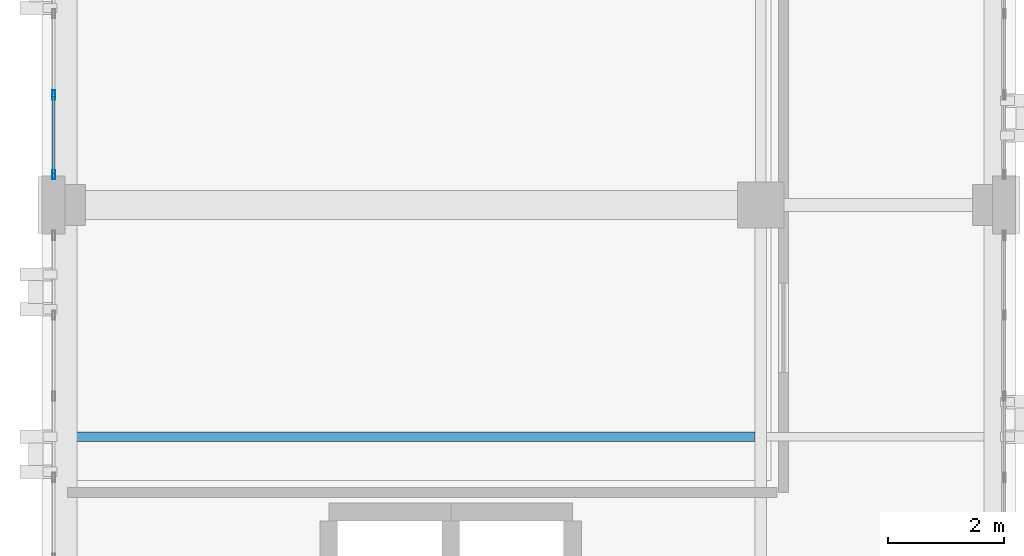
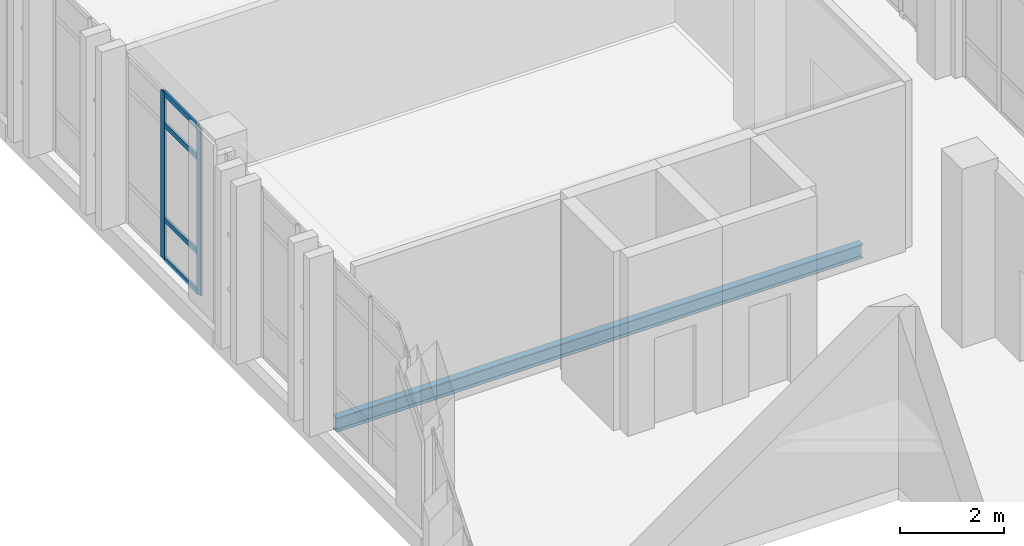
# One storey, part 34 of 158: 6 members, 1 beam, 1 element without a shape of its own.
"""IFC4 building model written with IfcOpenShell, lengths in metres."""

from ifc_helpers import new_model, si_unit, direction, frame, origin, origin_2d, place, context, subcontext, project, spatial, hollow_rectangle, i_section, extrude, material, layer, layer_set, material_profile, profile_set, type_object, element, aggregate, save


model = new_model("IFC4")

# Units and contexts
model_context = context("Model", 3, precision=1e-05, world=origin(), true_north=direction((0.0, 1.0)))
body_context = subcontext(model_context, "Body", "Model", "MODEL_VIEW")
ifc_project = project(units=[si_unit("LENGTHUNIT", "METRE"), si_unit("AREAUNIT", "SQUARE_METRE"), si_unit("VOLUMEUNIT", "CUBIC_METRE"), si_unit("PLANEANGLEUNIT", "RADIAN"), si_unit("MASSUNIT", "GRAM", prefix="KILO")], contexts=[model_context])

# Site, building, storey
site_placement = place(None, origin())
site = spatial("IfcSite", under=ifc_project, at=site_placement, CompositionType="ELEMENT")
building_placement = place(site_placement, origin())
building = spatial("IfcBuilding", under=site, at=building_placement, Name="Qalavern Law Courts", CompositionType="ELEMENT")
storey_placement = place(building_placement, frame((0.0, 0.0, 18.60009765625)))
storey = spatial("IfcBuildingStorey", under=building, at=storey_placement, Name="L04", CompositionType="ELEMENT", Elevation=18.60009765625)

# Curtain wall, members
ifc_material_1 = material(Name="Anodised aluminium and insulated glazing", Category="aluminium")
ifc_layer = layer(ifc_material_1, 0.159912109375)
ifc_layer_set = layer_set([ifc_layer], Name="Anodised aluminium and insulated glazing")
curtain_wall_type = type_object("IfcCurtainWallType", Name="ENV-CW-CHAMB", PredefinedType="USERDEFINED", material=ifc_layer_set)
curtain_wall_placement = place(storey_placement, origin())
curtain_wall = element("IfcCurtainWall", 1, at=curtain_wall_placement, inside=storey, type_object=curtain_wall_type, Name="V3 unitised curtain wall L04 west 5", ObjectType="UNITISED CURTAIN WALL", PredefinedType="USERDEFINED")
ifc_material_2 = material(Name="Anodised aluminium", Category="aluminium")
ifc_material_profile_1 = material_profile(ifc_material_2, hollow_rectangle(XDim=0.048095703125, YDim=0.159912109375, WallThickness=0.00390625, at=origin_2d()), Name="ALU MULLION 48x160")
ifc_profile_set_1 = profile_set([ifc_material_profile_1], Name="Anodised aluminium")
member_type_1 = type_object("IfcMemberType", Name="ENV-CWM-48x160", PredefinedType="MULLION", material=ifc_profile_set_1)
member_1_placement = place(storey_placement, frame((2.199951171875, 59.300048828125, 0.0), z_axis=(0.0, 0.0, 1.0), x_axis=(1.0, 0.0, 0.0)))
member_1 = element("IfcMember", 2, at=member_1_placement, type_object=member_type_1, Name="CW-04 mullion 5", PredefinedType="MULLION", context=body_context, shape_type="SweptSolid", body=[
    extrude(hollow_rectangle(XDim=0.048095703125, YDim=0.159912109375, WallThickness=0.00390625, at=origin_2d()), origin(), (0.0, 0.0, 1.0), 3.9248046875),
])
member_2_placement = place(storey_placement, frame((2.199951171875, 57.924072265625, 0.0), z_axis=(0.0, 0.0, 1.0), x_axis=(1.0, 0.0, 0.0)))
member_2 = element("IfcMember", 3, at=member_2_placement, type_object=member_type_1, Name="CW-04 mullion 6", PredefinedType="MULLION", context=body_context, shape_type="SweptSolid", body=[
    extrude(hollow_rectangle(XDim=0.048095703125, YDim=0.159912109375, WallThickness=0.00390625, at=origin_2d()), origin(), (0.0, 0.0, 1.0), 3.9248046875),
])
ifc_material_profile_2 = material_profile(ifc_material_2, hollow_rectangle(XDim=0.048095703125, YDim=0.1201171875, WallThickness=0.00390625, at=origin_2d()), Name="ALU TRANSOM 48x120")
ifc_profile_set_2 = profile_set([ifc_material_profile_2], Name="Anodised aluminium")
member_type_2 = type_object("IfcMemberType", Name="ENV-CWT-48x120", PredefinedType="USERDEFINED", material=ifc_profile_set_2)
member_3_placement = place(storey_placement, frame((2.199951171875, 59.27587890625, 0.02392578125), z_axis=(0.0, -1.0, 0.0), x_axis=(1.0, 0.0, 0.0)))
member_3 = element("IfcMember", 4, at=member_3_placement, type_object=member_type_2, Name="CW-04 transom 5.1", ObjectType="TRANSOM", PredefinedType="USERDEFINED", context=body_context, shape_type="SweptSolid", body=[
    extrude(hollow_rectangle(XDim=0.048095703125, YDim=0.1201171875, WallThickness=0.00390625, at=origin_2d()), origin(), (0.0, 0.0, 1.0), 1.327880859375),
])
member_4_placement = place(storey_placement, frame((2.199951171875, 59.27587890625, 0.949951171875), z_axis=(0.0, -1.0, 0.0), x_axis=(1.0, 0.0, 0.0)))
member_4 = element("IfcMember", 5, at=member_4_placement, type_object=member_type_2, Name="CW-04 transom 5.2", ObjectType="TRANSOM", PredefinedType="USERDEFINED", context=body_context, shape_type="SweptSolid", body=[
    extrude(hollow_rectangle(XDim=0.048095703125, YDim=0.1201171875, WallThickness=0.00390625, at=origin_2d()), origin(), (0.0, 0.0, 1.0), 1.327880859375),
])
member_5_placement = place(storey_placement, frame((2.199951171875, 59.27587890625, 3.1748046875), z_axis=(0.0, -1.0, 0.0), x_axis=(1.0, 0.0, 0.0)))
member_5 = element("IfcMember", 6, at=member_5_placement, type_object=member_type_2, Name="CW-04 transom 5.3", ObjectType="TRANSOM", PredefinedType="USERDEFINED", context=body_context, shape_type="SweptSolid", body=[
    extrude(hollow_rectangle(XDim=0.048095703125, YDim=0.1201171875, WallThickness=0.00390625, at=origin_2d()), origin(), (0.0, 0.0, 1.0), 1.327880859375),
])
member_6_placement = place(storey_placement, frame((2.199951171875, 59.27587890625, 3.90087890625), z_axis=(0.0, -1.0, 0.0), x_axis=(1.0, 0.0, 0.0)))
member_6 = element("IfcMember", 7, at=member_6_placement, type_object=member_type_2, Name="CW-04 transom 5.4", ObjectType="TRANSOM", PredefinedType="USERDEFINED", context=body_context, shape_type="SweptSolid", body=[
    extrude(hollow_rectangle(XDim=0.048095703125, YDim=0.1201171875, WallThickness=0.00390625, at=origin_2d()), origin(), (0.0, 0.0, 1.0), 1.327880859375),
])
aggregate(curtain_wall, [member_1, member_2, member_3, member_4, member_5, member_6])

# Beam
ifc_material_3 = material(Name="Steel S355", Category="steel")
ifc_material_profile_3 = material_profile(ifc_material_3, i_section(OverallWidth=0.159912109375, OverallDepth=0.330078125, WebThickness=0.007568359375, FlangeThickness=0.011474609375, FilletRadius=0.01806640625, at=origin_2d()), Name="IPE 330")
ifc_profile_set_3 = profile_set([ifc_material_profile_3], Name="Steel S355")
beam_type = type_object("IfcBeamType", Name="STR-JST-IPE330", PredefinedType="JOIST", material=ifc_profile_set_3)
beam_placement = place(storey_placement, frame((2.597900390625, 53.39990234375, -0.445068359375), z_axis=(1.0, 0.0, 0.0), x_axis=(0.0, 1.0, 0.0)))
element("IfcBeam", 8, at=beam_placement, inside=storey, type_object=beam_type, Name="V3 secondary joist 1.2.1 L04", PredefinedType="JOIST", context=body_context, shape_type="SweptSolid", body=[
    extrude(i_section(OverallWidth=0.159912109375, OverallDepth=0.330078125, WebThickness=0.007568359375, FlangeThickness=0.011474609375, FilletRadius=0.01806640625, at=origin_2d()), origin(), (0.0, 0.0, 1.0), 11.7041015625),
])

save(model, "model.ifc")
